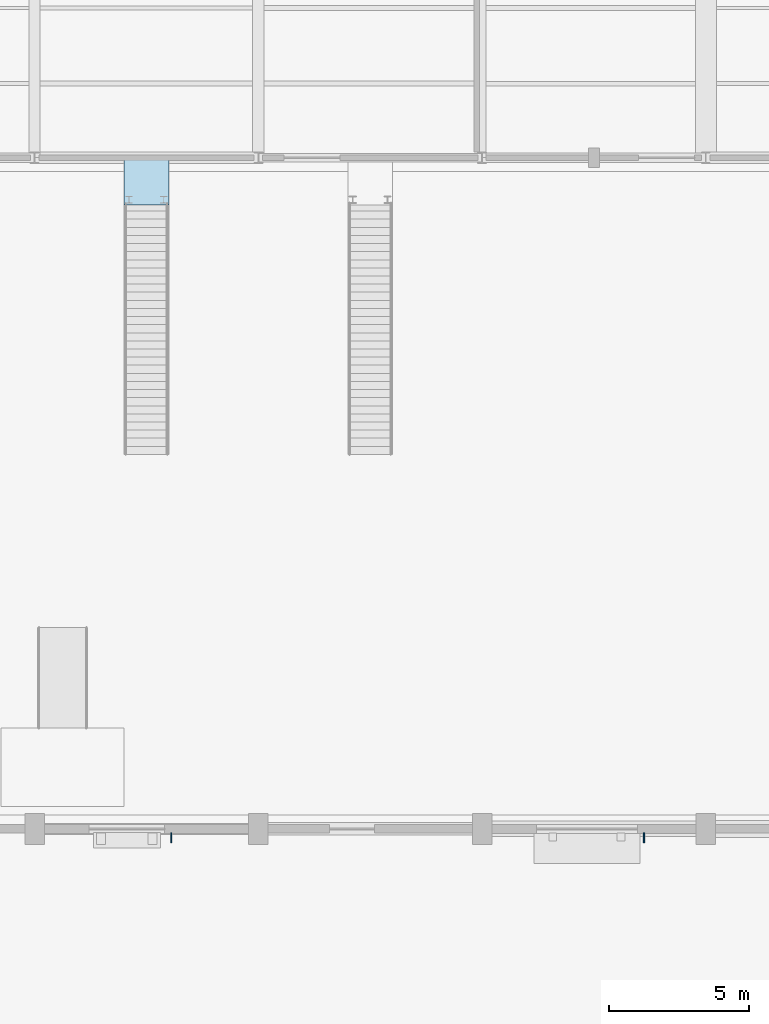
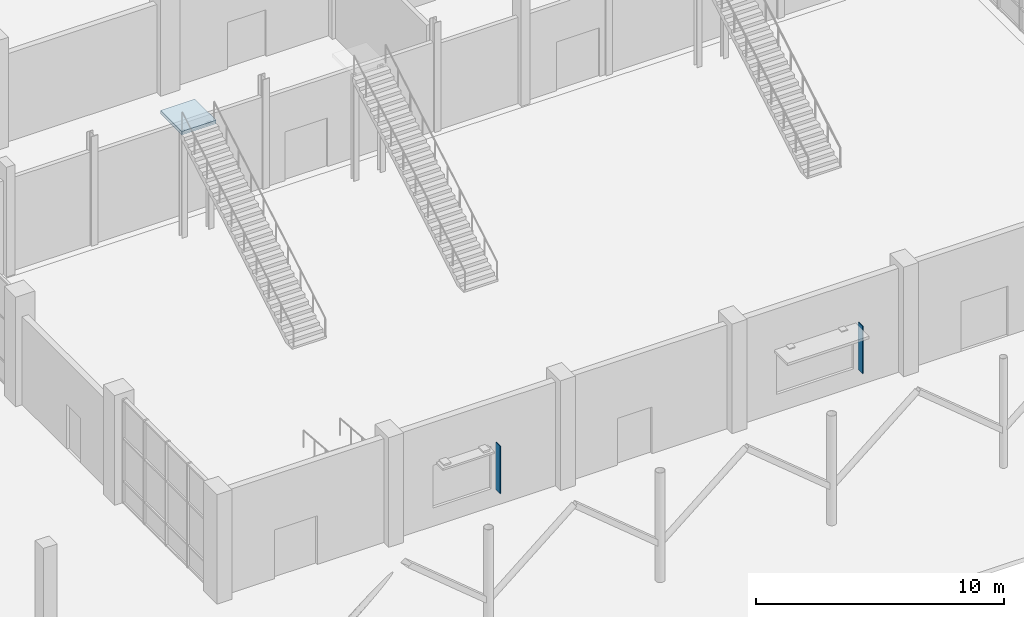
# One storey, part 88 of 123: 2 plates, 1 slab, 1 element without a shape of its own.
"""IFC4 building model written with IfcOpenShell, lengths in metres."""

import ifcopenshell
import ifcopenshell.guid

model = None  # the IFC model being written
_history = None  # IfcOwnerHistory: only IFC2X3 demands one
_inside = {}  # id of a spatial element -> (the spatial element, [elements in it])
_under = {}  # id of a project, library or spatial element -> (it, [spatial elements below it])
_declared = {}  # id of a project -> (the project, [libraries it declares])
_typed = {}  # id of a type object -> (the type object, [elements of that type])
_made_of = {}  # id of a material, layer set ... -> (it, [elements and type objects made of it])


def new_model(schema):
    """Start an empty IFC model of exactly this schema.

    Asked for "IFC4X3", IfcOpenShell would pick the latest addendum, in which some entities
    have other attributes; the version numbers below select the first issue.
    IFC2X3 requires an IfcOwnerHistory on every rooted entity: one is made here for all.
    """
    global model, _history
    if schema == "IFC4X3":
        model = ifcopenshell.file(schema_version=(4, 3, 0, 0))
    else:
        model = ifcopenshell.file(schema=schema)
    _inside.clear()
    _under.clear()
    _declared.clear()
    _typed.clear()
    _made_of.clear()
    _history = None
    if model.schema == "IFC2X3":
        org = make("IfcOrganization", Name="unknown")
        user = make(
            "IfcPersonAndOrganization",
            ThePerson=make("IfcPerson", FamilyName="unknown"),
            TheOrganization=org,
        )
        app = make(
            "IfcApplication",
            ApplicationDeveloper=org,
            Version="unknown",
            ApplicationFullName="unknown",
            ApplicationIdentifier="unknown",
        )
        _history = make(
            "IfcOwnerHistory",
            OwningUser=user,
            OwningApplication=app,
            ChangeAction="ADDED",
            CreationDate=0,
        )
    return model


def make(cls, **values):
    """One entity of the class cls with the attributes given. An attribute that is None is left unset."""
    return model.create_entity(
        cls, **{name: value for name, value in values.items() if value is not None}
    )


def rooted(cls, **values):
    """An entity with a GlobalId (a new one), such as an element, a storey or a relation."""
    return make(cls, GlobalId=ifcopenshell.guid.new(), OwnerHistory=_history, **values)


def si_unit(unit_type, name, prefix=None):
    """IfcSIUnit, for example si_unit("LENGTHUNIT", "METRE", prefix="MILLI")."""
    return make("IfcSIUnit", UnitType=unit_type, Prefix=prefix, Name=name)


def assignment(units):
    """IfcUnitAssignment: the units of a project."""
    return None if units is None else make("IfcUnitAssignment", Units=units)


def point(xyz):
    """IfcCartesianPoint."""
    return None if xyz is None else make("IfcCartesianPoint", Coordinates=xyz)


def direction(xyz):
    """IfcDirection."""
    return None if xyz is None else make("IfcDirection", DirectionRatios=xyz)


def frame(location, z_axis=None, x_axis=None):
    """IfcAxis2Placement3D, a coordinate frame: its origin and axes. An axis left out is left unset."""
    return make(
        "IfcAxis2Placement3D",
        Location=point(location),
        Axis=direction(z_axis),
        RefDirection=direction(x_axis),
    )


def frame_2d(location, x_axis=None):
    """IfcAxis2Placement2D, a coordinate frame in the plane: its origin and x axis."""
    return make(
        "IfcAxis2Placement2D", Location=point(location), RefDirection=direction(x_axis)
    )


def origin():
    """The frame at (0, 0, 0) with its axes left unset."""
    return frame((0.0, 0.0, 0.0))


def origin_2d():
    """The frame at (0, 0) in the plane with its x axis left unset."""
    return frame_2d((0.0, 0.0))


def place(relative_to, where):
    """IfcLocalPlacement: puts the frame where relative to a parent placement (None: the world)."""
    return make(
        "IfcLocalPlacement", PlacementRelTo=relative_to, RelativePlacement=where
    )


def context(
    kind, dimensions, precision=None, world=None, true_north=None, identifier=None
):
    """IfcGeometricRepresentationContext, for example the 3D "Model" context."""
    return make(
        "IfcGeometricRepresentationContext",
        ContextIdentifier=identifier,
        ContextType=kind,
        CoordinateSpaceDimension=dimensions,
        Precision=precision,
        WorldCoordinateSystem=world,
        TrueNorth=true_north,
    )


def subcontext(parent, identifier, kind, view, scale=None):
    """IfcGeometricRepresentationSubContext, for example "Body" below "Model"."""
    return make(
        "IfcGeometricRepresentationSubContext",
        ContextIdentifier=identifier,
        ContextType=kind,
        ParentContext=parent,
        TargetScale=scale,
        TargetView=view,
    )


def project(units=None, contexts=None):
    """IfcProject with its units and contexts."""
    return rooted(
        "IfcProject",
        Name="project",
        RepresentationContexts=contexts,
        UnitsInContext=assignment(units),
    )


def spatial(cls, under=None, at=None, **own):
    """A site, building, storey or space (cls), placed at a placement, below another one or the project."""
    s = rooted(cls, ObjectPlacement=at, **own)
    if under is not None:
        _under.setdefault(under.id(), (under, []))[1].append(s)
    return s


def polyline(points):
    """IfcPolyline through the points."""
    return make("IfcPolyline", Points=[point(p) for p in points])


def profile(cls, at=None, kind="AREA", **sizes):
    """A parametric profile (cls). Its sizes go by their IFC names, for example OverallWidth=200.0."""
    return make(cls, ProfileType=kind, Position=at, **sizes)


def rectangle(**sizes):
    """IfcRectangleProfileDef."""
    return profile("IfcRectangleProfileDef", **sizes)


def outline(outer, holes=None, kind="AREA"):
    """IfcArbitraryClosedProfileDef: a profile drawn as a closed curve; with holes, ...WithVoids."""
    if holes is None:
        return make("IfcArbitraryClosedProfileDef", ProfileType=kind, OuterCurve=outer)
    return make(
        "IfcArbitraryProfileDefWithVoids",
        ProfileType=kind,
        OuterCurve=outer,
        InnerCurves=holes,
    )


def extrude(swept, where, along, depth):
    """IfcExtrudedAreaSolid: the profile swept, set in the frame where, extruded along a direction by depth."""
    return make(
        "IfcExtrudedAreaSolid",
        SweptArea=swept,
        Position=where,
        ExtrudedDirection=direction(along),
        Depth=depth,
    )


def shape(context_of_items, identifier, shape_type, items):
    """IfcShapeRepresentation: the items that make up one representation, for example the "Body"."""
    return make(
        "IfcShapeRepresentation",
        ContextOfItems=context_of_items,
        RepresentationIdentifier=identifier,
        RepresentationType=shape_type,
        Items=items,
    )


def material(Name=None, Category=None):
    """IfcMaterial."""
    return make("IfcMaterial", Name=Name, Category=Category)


def layer(
    of_material, thickness, ventilated=None, Name=None, Category=None, Priority=None
):
    """IfcMaterialLayer: one layer of a wall or slab, of a material (None: an air gap)."""
    return make(
        "IfcMaterialLayer",
        Material=of_material,
        LayerThickness=thickness,
        IsVentilated=ventilated,
        Name=Name,
        Category=Category,
        Priority=Priority,
    )


def layer_set(layers, Name=None):
    """IfcMaterialLayerSet."""
    return make("IfcMaterialLayerSet", MaterialLayers=layers, LayerSetName=Name)


def made_of(thing, what):
    """Note that an element or type object is made of a material, layer set ...; save() writes the relation."""
    if what is not None:
        _made_of.setdefault(what.id(), (what, []))[1].append(thing)
    return thing


def type_object(cls, material=None, **own):
    """A type object (cls), such as IfcWallType, which elements share."""
    return made_of(rooted(cls, **own), material)


def element(
    cls,
    number,
    at=None,
    inside=None,
    cuts=None,
    type_object=None,
    material=None,
    context=None,
    identifier="Body",
    shape_type=None,
    held_by="IfcProductDefinitionShape",
    body=None,
    shapes=None,
    **own,
):
    """One element of the class cls, such as IfcWall. Its Tag is "e" and its number.

    at: its placement. inside: the storey or other place that contains it. cuts: it is an
    opening in that element (IfcRelVoidsElement). A single representation is given by context,
    identifier, shape_type and body (its items); several are given by shapes. held_by: the class
    of the entity that holds the representations. save() writes the other relations.
    """
    e = rooted(cls, Tag="e%d" % number, ObjectPlacement=at, **own)
    if body is not None:
        shapes = [shape(context, identifier, shape_type, body)]
    if shapes is not None:
        e.Representation = make(held_by, Representations=shapes)
    if inside is not None:
        _inside.setdefault(inside.id(), (inside, []))[1].append(e)
    if cuts is not None:
        rooted(
            "IfcRelVoidsElement", RelatingBuildingElement=cuts, RelatedOpeningElement=e
        )
    if type_object is not None:
        _typed.setdefault(type_object.id(), (type_object, []))[1].append(e)
    return made_of(e, material)


def aggregate(whole, parts):
    """IfcRelAggregates: a whole, such as a stair, and the parts it consists of."""
    return rooted("IfcRelAggregates", RelatingObject=whole, RelatedObjects=parts)


def save(model, path):
    """Write the relations noted so far, then the file.

    IfcRelAggregates (storeys below a building ...), IfcRelContainedInSpatialStructure (elements
    in a storey), IfcRelDefinesByType, IfcRelAssociatesMaterial and IfcRelDeclares: one each for
    every whole, place, type object, material and project.
    """
    for whole, parts in _under.values():
        aggregate(whole, parts)
    for where, things in _inside.values():
        rooted(
            "IfcRelContainedInSpatialStructure",
            RelatedElements=things,
            RelatingStructure=where,
        )
    for kind, things in _typed.values():
        rooted("IfcRelDefinesByType", RelatedObjects=things, RelatingType=kind)
    for what, things in _made_of.values():
        rooted("IfcRelAssociatesMaterial", RelatedObjects=things, RelatingMaterial=what)
    for by, libraries in _declared.values():
        rooted("IfcRelDeclares", RelatingContext=by, RelatedDefinitions=libraries)
    model.write(path)


model = new_model("IFC4")

# Units and contexts
model_context = context("Model", 3, precision=1e-05, world=origin(), true_north=direction((0.0, 1.0)))
body_context = subcontext(model_context, "Body", "Model", "MODEL_VIEW")
ifc_project = project(units=[si_unit("LENGTHUNIT", "METRE"), si_unit("AREAUNIT", "SQUARE_METRE"), si_unit("VOLUMEUNIT", "CUBIC_METRE"), si_unit("PLANEANGLEUNIT", "RADIAN"), si_unit("MASSUNIT", "GRAM", prefix="KILO")], contexts=[model_context])

# Site, building, storey
site_placement = place(None, origin())
site = spatial("IfcSite", under=ifc_project, at=site_placement, CompositionType="ELEMENT")
building_placement = place(site_placement, origin())
building = spatial("IfcBuilding", under=site, at=building_placement, Name="Tenunan Teduh Sports Hall", CompositionType="ELEMENT")
storey_placement = place(building_placement, origin())
storey = spatial("IfcBuildingStorey", under=building, at=storey_placement, Name="L00", CompositionType="ELEMENT", Elevation=0.0)

# Plates
ifc_material_1 = material(Name="Anodised aluminium", Category="aluminium")
ifc_layer_1 = layer(ifc_material_1, 1.89990234375)
ifc_layer_set_1 = layer_set([ifc_layer_1], Name="Anodised aluminium")
plate_type = type_object("IfcPlateType", Name="PLT-FIN-1", PredefinedType="SHEET", material=ifc_layer_set_1)
for number, where, z_axis, x_axis, name in (
    (1, (134.889892578125, 13.679931640625, 0.77978515625), (0.0, 0.0, 1.0), (1.0, 0.0, 0.0), "PLT-FIN-L00-001"),
    (2, (151.7900390625, 13.679931640625, 0.77978515625), (0.0, 0.0, 1.0), (1.0, 0.0, 0.0), "PLT-FIN-L00-002"),
):
    element("IfcPlate", number, at=place(storey_placement, frame(where, z_axis=z_axis, x_axis=x_axis)), inside=storey, type_object=plate_type, Name=name, PredefinedType="SHEET", context=body_context, shape_type="SweptSolid", body=[
        extrude(rectangle(XDim=0.0400390625, YDim=0.360107421875, at=origin_2d()), origin(), (0.0, 0.0, 1.0), 2.340087890625),
    ])

# Stair, slab
ifc_material_2 = material(Name="Precast concrete C40/50", Category="concrete")
stair_type = type_object("IfcStairType", Name="STR-VOM-E", PredefinedType="STRAIGHT_RUN_STAIR", material=ifc_material_2)
stair_placement = place(storey_placement, origin())
stair = element("IfcStair", 3, at=stair_placement, inside=storey, type_object=stair_type, Name="STR-VOM-V1A", PredefinedType="STRAIGHT_RUN_STAIR")
ifc_material_3 = material(Name="Precast concrete C40/50", Category="concrete")
ifc_layer_2 = layer(ifc_material_3, 0.179931640625)
ifc_layer_set_2 = layer_set([ifc_layer_2], Name="Precast concrete C40/50")
slab_type = type_object("IfcSlabType", Name="SLB-LND-180", PredefinedType="LANDING", material=ifc_layer_set_2)
slab_placement = place(storey_placement, frame((0.0, 0.0, 5.219970703125)))
slab = element("IfcSlab", 4, at=slab_placement, type_object=slab_type, Name="ST-23 landing 1", PredefinedType="LANDING", context=body_context, shape_type="SweptSolid", body=[
    extrude(outline(polyline([(133.199951171875, 36.300048828125), (134.800048828125, 36.300048828125), (134.800048828125, 38.02001953125), (133.199951171875, 38.02001953125), (133.199951171875, 36.300048828125)])), origin(), (0.0, 0.0, 1.0), 0.179931640625),
])
aggregate(stair, [slab])

save(model, "model.ifc")
